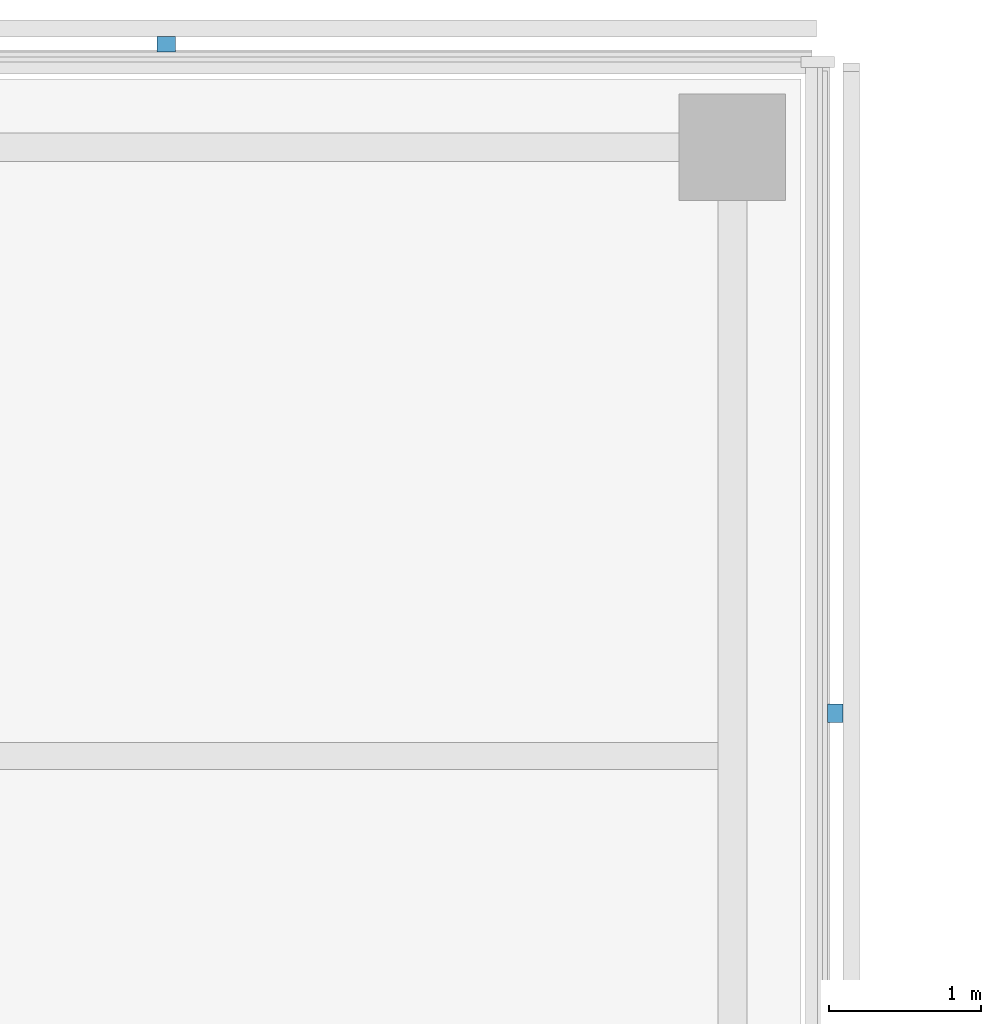
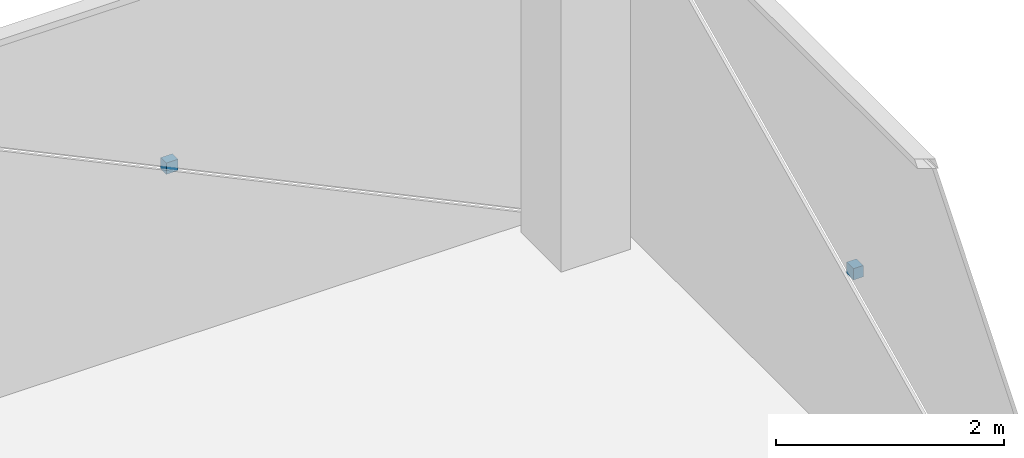
# One storey, part 20 of 22: 2 discrete accessories.
"""IFC4 building model written with IfcOpenShell, lengths in metres."""

import ifcopenshell
import ifcopenshell.guid

model = None  # the IFC model being written
_history = None  # IfcOwnerHistory: only IFC2X3 demands one
_inside = {}  # id of a spatial element -> (the spatial element, [elements in it])
_under = {}  # id of a project, library or spatial element -> (it, [spatial elements below it])
_declared = {}  # id of a project -> (the project, [libraries it declares])
_typed = {}  # id of a type object -> (the type object, [elements of that type])
_made_of = {}  # id of a material, layer set ... -> (it, [elements and type objects made of it])


def new_model(schema):
    """Start an empty IFC model of exactly this schema.

    Asked for "IFC4X3", IfcOpenShell would pick the latest addendum, in which some entities
    have other attributes; the version numbers below select the first issue.
    IFC2X3 requires an IfcOwnerHistory on every rooted entity: one is made here for all.
    """
    global model, _history
    if schema == "IFC4X3":
        model = ifcopenshell.file(schema_version=(4, 3, 0, 0))
    else:
        model = ifcopenshell.file(schema=schema)
    _inside.clear()
    _under.clear()
    _declared.clear()
    _typed.clear()
    _made_of.clear()
    _history = None
    if model.schema == "IFC2X3":
        org = make("IfcOrganization", Name="unknown")
        user = make(
            "IfcPersonAndOrganization",
            ThePerson=make("IfcPerson", FamilyName="unknown"),
            TheOrganization=org,
        )
        app = make(
            "IfcApplication",
            ApplicationDeveloper=org,
            Version="unknown",
            ApplicationFullName="unknown",
            ApplicationIdentifier="unknown",
        )
        _history = make(
            "IfcOwnerHistory",
            OwningUser=user,
            OwningApplication=app,
            ChangeAction="ADDED",
            CreationDate=0,
        )
    return model


def make(cls, **values):
    """One entity of the class cls with the attributes given. An attribute that is None is left unset."""
    return model.create_entity(
        cls, **{name: value for name, value in values.items() if value is not None}
    )


def rooted(cls, **values):
    """An entity with a GlobalId (a new one), such as an element, a storey or a relation."""
    return make(cls, GlobalId=ifcopenshell.guid.new(), OwnerHistory=_history, **values)


def si_unit(unit_type, name, prefix=None):
    """IfcSIUnit, for example si_unit("LENGTHUNIT", "METRE", prefix="MILLI")."""
    return make("IfcSIUnit", UnitType=unit_type, Prefix=prefix, Name=name)


def assignment(units):
    """IfcUnitAssignment: the units of a project."""
    return None if units is None else make("IfcUnitAssignment", Units=units)


def point(xyz):
    """IfcCartesianPoint."""
    return None if xyz is None else make("IfcCartesianPoint", Coordinates=xyz)


def direction(xyz):
    """IfcDirection."""
    return None if xyz is None else make("IfcDirection", DirectionRatios=xyz)


def frame(location, z_axis=None, x_axis=None):
    """IfcAxis2Placement3D, a coordinate frame: its origin and axes. An axis left out is left unset."""
    return make(
        "IfcAxis2Placement3D",
        Location=point(location),
        Axis=direction(z_axis),
        RefDirection=direction(x_axis),
    )


def frame_2d(location, x_axis=None):
    """IfcAxis2Placement2D, a coordinate frame in the plane: its origin and x axis."""
    return make(
        "IfcAxis2Placement2D", Location=point(location), RefDirection=direction(x_axis)
    )


def origin():
    """The frame at (0, 0, 0) with its axes left unset."""
    return frame((0.0, 0.0, 0.0))


def origin_2d():
    """The frame at (0, 0) in the plane with its x axis left unset."""
    return frame_2d((0.0, 0.0))


def place(relative_to, where):
    """IfcLocalPlacement: puts the frame where relative to a parent placement (None: the world)."""
    return make(
        "IfcLocalPlacement", PlacementRelTo=relative_to, RelativePlacement=where
    )


def context(
    kind, dimensions, precision=None, world=None, true_north=None, identifier=None
):
    """IfcGeometricRepresentationContext, for example the 3D "Model" context."""
    return make(
        "IfcGeometricRepresentationContext",
        ContextIdentifier=identifier,
        ContextType=kind,
        CoordinateSpaceDimension=dimensions,
        Precision=precision,
        WorldCoordinateSystem=world,
        TrueNorth=true_north,
    )


def subcontext(parent, identifier, kind, view, scale=None):
    """IfcGeometricRepresentationSubContext, for example "Body" below "Model"."""
    return make(
        "IfcGeometricRepresentationSubContext",
        ContextIdentifier=identifier,
        ContextType=kind,
        ParentContext=parent,
        TargetScale=scale,
        TargetView=view,
    )


def project(units=None, contexts=None):
    """IfcProject with its units and contexts."""
    return rooted(
        "IfcProject",
        Name="project",
        RepresentationContexts=contexts,
        UnitsInContext=assignment(units),
    )


def spatial(cls, under=None, at=None, **own):
    """A site, building, storey or space (cls), placed at a placement, below another one or the project."""
    s = rooted(cls, ObjectPlacement=at, **own)
    if under is not None:
        _under.setdefault(under.id(), (under, []))[1].append(s)
    return s


def profile(cls, at=None, kind="AREA", **sizes):
    """A parametric profile (cls). Its sizes go by their IFC names, for example OverallWidth=200.0."""
    return make(cls, ProfileType=kind, Position=at, **sizes)


def rectangle(**sizes):
    """IfcRectangleProfileDef."""
    return profile("IfcRectangleProfileDef", **sizes)


def extrude(swept, where, along, depth):
    """IfcExtrudedAreaSolid: the profile swept, set in the frame where, extruded along a direction by depth."""
    return make(
        "IfcExtrudedAreaSolid",
        SweptArea=swept,
        Position=where,
        ExtrudedDirection=direction(along),
        Depth=depth,
    )


def shape(context_of_items, identifier, shape_type, items):
    """IfcShapeRepresentation: the items that make up one representation, for example the "Body"."""
    return make(
        "IfcShapeRepresentation",
        ContextOfItems=context_of_items,
        RepresentationIdentifier=identifier,
        RepresentationType=shape_type,
        Items=items,
    )


def material(Name=None, Category=None):
    """IfcMaterial."""
    return make("IfcMaterial", Name=Name, Category=Category)


def made_of(thing, what):
    """Note that an element or type object is made of a material, layer set ...; save() writes the relation."""
    if what is not None:
        _made_of.setdefault(what.id(), (what, []))[1].append(thing)
    return thing


def type_object(cls, material=None, **own):
    """A type object (cls), such as IfcWallType, which elements share."""
    return made_of(rooted(cls, **own), material)


def element(
    cls,
    number,
    at=None,
    inside=None,
    cuts=None,
    type_object=None,
    material=None,
    context=None,
    identifier="Body",
    shape_type=None,
    held_by="IfcProductDefinitionShape",
    body=None,
    shapes=None,
    **own,
):
    """One element of the class cls, such as IfcWall. Its Tag is "e" and its number.

    at: its placement. inside: the storey or other place that contains it. cuts: it is an
    opening in that element (IfcRelVoidsElement). A single representation is given by context,
    identifier, shape_type and body (its items); several are given by shapes. held_by: the class
    of the entity that holds the representations. save() writes the other relations.
    """
    e = rooted(cls, Tag="e%d" % number, ObjectPlacement=at, **own)
    if body is not None:
        shapes = [shape(context, identifier, shape_type, body)]
    if shapes is not None:
        e.Representation = make(held_by, Representations=shapes)
    if inside is not None:
        _inside.setdefault(inside.id(), (inside, []))[1].append(e)
    if cuts is not None:
        rooted(
            "IfcRelVoidsElement", RelatingBuildingElement=cuts, RelatedOpeningElement=e
        )
    if type_object is not None:
        _typed.setdefault(type_object.id(), (type_object, []))[1].append(e)
    return made_of(e, material)


def aggregate(whole, parts):
    """IfcRelAggregates: a whole, such as a stair, and the parts it consists of."""
    return rooted("IfcRelAggregates", RelatingObject=whole, RelatedObjects=parts)


def save(model, path):
    """Write the relations noted so far, then the file.

    IfcRelAggregates (storeys below a building ...), IfcRelContainedInSpatialStructure (elements
    in a storey), IfcRelDefinesByType, IfcRelAssociatesMaterial and IfcRelDeclares: one each for
    every whole, place, type object, material and project.
    """
    for whole, parts in _under.values():
        aggregate(whole, parts)
    for where, things in _inside.values():
        rooted(
            "IfcRelContainedInSpatialStructure",
            RelatedElements=things,
            RelatingStructure=where,
        )
    for kind, things in _typed.values():
        rooted("IfcRelDefinesByType", RelatedObjects=things, RelatingType=kind)
    for what, things in _made_of.values():
        rooted("IfcRelAssociatesMaterial", RelatedObjects=things, RelatingMaterial=what)
    for by, libraries in _declared.values():
        rooted("IfcRelDeclares", RelatingContext=by, RelatedDefinitions=libraries)
    model.write(path)


model = new_model("IFC4")

# Units and contexts
model_context = context("Model", 3, precision=1e-05, world=origin(), true_north=direction((0.0, 1.0)))
body_context = subcontext(model_context, "Body", "Model", "MODEL_VIEW")
ifc_project = project(units=[si_unit("LENGTHUNIT", "METRE"), si_unit("AREAUNIT", "SQUARE_METRE"), si_unit("VOLUMEUNIT", "CUBIC_METRE"), si_unit("PLANEANGLEUNIT", "RADIAN"), si_unit("MASSUNIT", "GRAM", prefix="KILO")], contexts=[model_context])

# Site, building, storey
site_placement = place(None, origin())
site = spatial("IfcSite", under=ifc_project, at=site_placement, CompositionType="ELEMENT")
building_placement = place(site_placement, origin())
building = spatial("IfcBuilding", under=site, at=building_placement, Name="Crosswind Convention Tower", CompositionType="ELEMENT")
storey_placement = place(building_placement, frame((0.0, 0.0, 167.300048828125)))
storey = spatial("IfcBuildingStorey", under=building, at=storey_placement, Name="L35", CompositionType="ELEMENT", Elevation=167.300048828125)

# Discrete accessories
ifc_material = material(Name="Stainless steel", Category="steel")
discrete_accessory_type = type_object("IfcDiscreteAccessoryType", Name="BAGUETTE BRACKET BK3", PredefinedType="BRACKET", material=ifc_material)
for number, where, z_axis, x_axis, name in (
    (1, (137.676025390625, 124.280029296875, 1.65478515625), (0.0, 0.0, 1.0), (0.0, 1.0, 0.0), "BK3 baguette bracket"),
    (2, (133.280029296875, 128.676025390625, 1.65478515625), (0.0, 0.0, 1.0), (-1.0, 0.0, 0.0), "BK3 baguette bracket"),
):
    element("IfcDiscreteAccessory", number, at=place(storey_placement, frame(where, z_axis=z_axis, x_axis=x_axis)), inside=storey, type_object=discrete_accessory_type, Name=name, PredefinedType="BRACKET", context=body_context, shape_type="SweptSolid", body=[
        extrude(rectangle(XDim=0.1201171875, YDim=0.10009765625, at=origin_2d()), origin(), (0.0, 0.0, 1.0), 0.1201171875),
    ])

save(model, "model.ifc")
